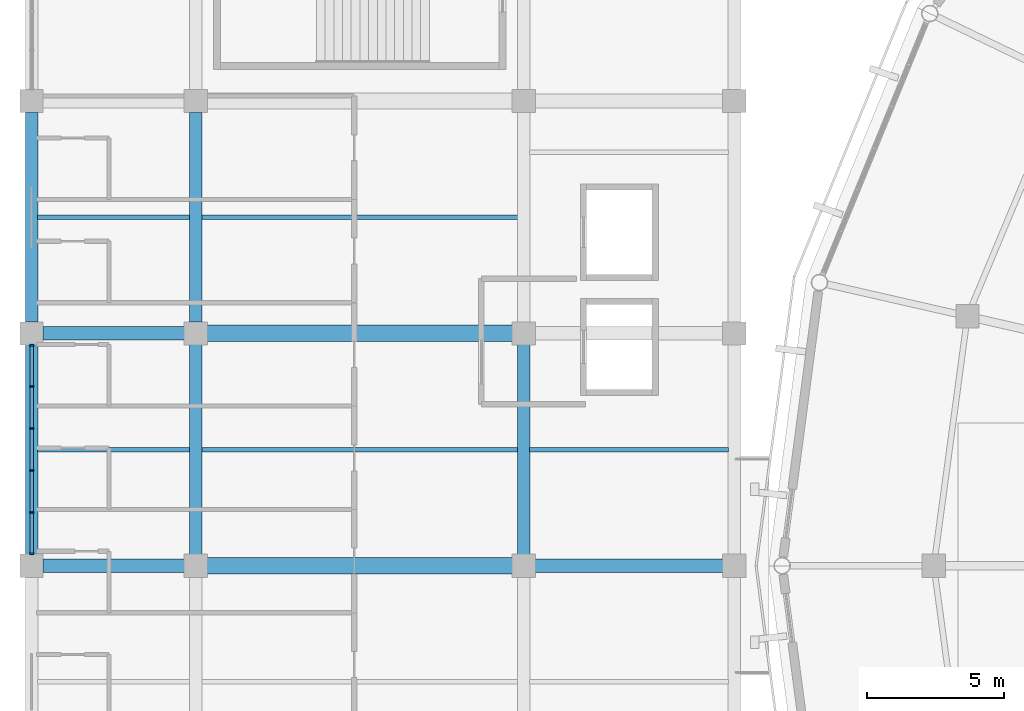
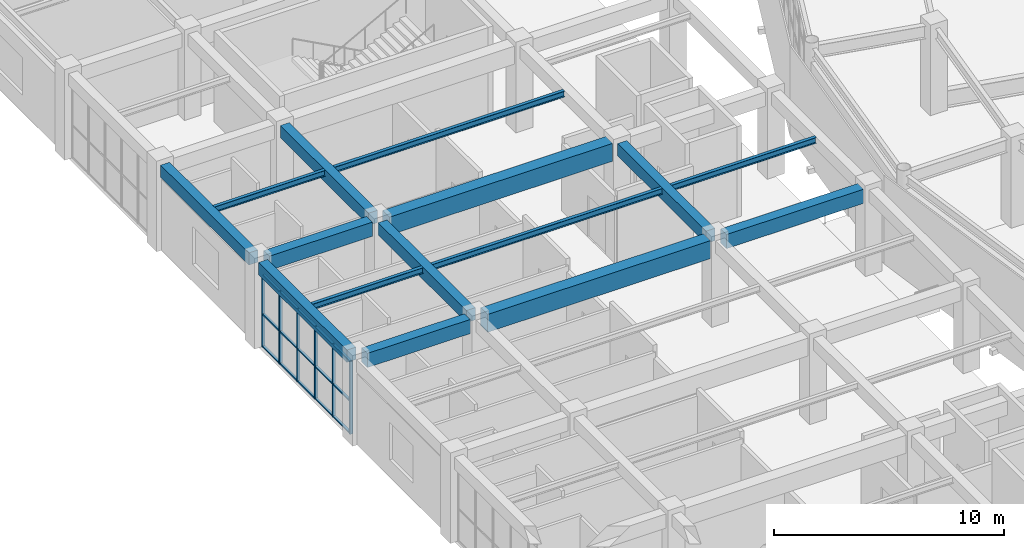
# One storey, part 41 of 122: 21 members, 15 beams, 1 element without a shape of its own.
"""IFC4 building model written with IfcOpenShell, lengths in metres."""

from ifc_helpers import new_model, si_unit, direction, frame, origin, origin_2d, place, context, subcontext, project, spatial, rectangle, i_section, extrude, material, material_profile, profile_set, type_object, element, aggregate, save


model = new_model("IFC4")

# Units and contexts
model_context = context("Model", 3, precision=1e-05, world=origin(), true_north=direction((0.0, 1.0)))
body_context = subcontext(model_context, "Body", "Model", "MODEL_VIEW")
ifc_project = project(units=[si_unit("LENGTHUNIT", "METRE"), si_unit("AREAUNIT", "SQUARE_METRE"), si_unit("VOLUMEUNIT", "CUBIC_METRE"), si_unit("PLANEANGLEUNIT", "RADIAN"), si_unit("MASSUNIT", "GRAM", prefix="KILO")], contexts=[model_context])

# Site, building, storey
site_placement = place(None, origin())
site = spatial("IfcSite", under=ifc_project, at=site_placement, CompositionType="ELEMENT")
building_placement = place(site_placement, origin())
building = spatial("IfcBuilding", under=site, at=building_placement, Name="Cuetzalor Civic Arena", CompositionType="ELEMENT")
storey_placement = place(building_placement, frame((0.0, 0.0, 16.199951171875)))
storey = spatial("IfcBuildingStorey", under=building, at=storey_placement, Name="L03", CompositionType="ELEMENT", Elevation=16.199951171875)

# Beams
ifc_material_1 = material(Name="Concrete C40/50", Category="concrete")
ifc_material_profile_1 = material_profile(ifc_material_1, rectangle(XDim=0.5, YDim=0.75, at=origin_2d()), Name="RC 500x750")
ifc_profile_set_1 = profile_set([ifc_material_profile_1], Name="Concrete C40/50")
beam_type_1 = type_object("IfcBeamType", Name="ConcreteFrameBeam_500x750", PredefinedType="BEAM", material=ifc_profile_set_1)
beam_1_placement = place(storey_placement, frame((-81.5849609375, 0.0, 4.14501953125), z_axis=(1.0, 0.0, 0.0), x_axis=(0.0, 1.0, 0.0)))
element("IfcBeam", 1, at=beam_1_placement, inside=storey, type_object=beam_type_1, Name="Frame Girder V4W-L03-X0901", PredefinedType="BEAM", context=body_context, shape_type="SweptSolid", body=[
    extrude(rectangle(XDim=0.5, YDim=0.75, at=origin_2d()), origin(), (0.0, 0.0, 1.0), 5.169921875),
])
beam_2_placement = place(storey_placement, frame((-63.5849609375, 0.0, 4.14501953125), z_axis=(1.0, 0.0, 0.0), x_axis=(0.0, 1.0, 0.0)))
element("IfcBeam", 2, at=beam_2_placement, inside=storey, type_object=beam_type_1, Name="Frame Girder V4W-L03-X0903", PredefinedType="BEAM", context=body_context, shape_type="SweptSolid", body=[
    extrude(rectangle(XDim=0.5, YDim=0.75, at=origin_2d()), origin(), (0.0, 0.0, 1.0), 6.869873046875),
])
beam_3_placement = place(storey_placement, frame((-81.5849609375, 8.5, 4.14501953125), z_axis=(1.0, 0.0, 0.0), x_axis=(0.0, 1.0, 0.0)))
element("IfcBeam", 3, at=beam_3_placement, inside=storey, type_object=beam_type_1, Name="Frame Girder V4W-L03-X0904", PredefinedType="BEAM", context=body_context, shape_type="SweptSolid", body=[
    extrude(rectangle(XDim=0.5, YDim=0.75, at=origin_2d()), origin(), (0.0, 0.0, 1.0), 5.169921875),
])
ifc_material_2 = material(Name="Concrete C40/50", Category="concrete")
ifc_material_profile_2 = material_profile(ifc_material_2, rectangle(XDim=0.60009765625, YDim=0.949951171875, at=origin_2d()), Name="RC 600x950")
ifc_profile_set_2 = profile_set([ifc_material_profile_2], Name="Concrete C40/50")
beam_type_2 = type_object("IfcBeamType", Name="ConcreteFrameBeam_600x950", PredefinedType="BEAM", material=ifc_profile_set_2)
for number, where, z_axis, x_axis, name in (
    (4, (-75.5849609375, 0.0, 4.045166015625), (1.0, 0.0, 0.0), (0.0, 1.0, 0.0), "Frame Girder V4W-L03-X0902"),
    (5, (-75.5849609375, 8.5, 4.045166015625), (1.0, 0.0, 0.0), (0.0, 1.0, 0.0), "Frame Girder V4W-L03-X0905"),
):
    element("IfcBeam", number, at=place(storey_placement, frame(where, z_axis=z_axis, x_axis=x_axis)), inside=storey, type_object=beam_type_2, Name=name, PredefinedType="BEAM", context=body_context, shape_type="SweptSolid", body=[
        extrude(rectangle(XDim=0.60009765625, YDim=0.949951171875, at=origin_2d()), origin(), (0.0, 0.0, 1.0), 11.169921875),
    ])
ifc_material_3 = material(Name="Concrete C40/50", Category="concrete")
ifc_material_profile_3 = material_profile(ifc_material_3, rectangle(XDim=0.449951171875, YDim=0.64990234375, at=origin_2d()), Name="RC 450x650")
ifc_profile_set_3 = profile_set([ifc_material_profile_3], Name="Concrete C40/50")
beam_type_3 = type_object("IfcBeamType", Name="ConcreteTieBeam_450x650", PredefinedType="BEAM", material=ifc_profile_set_3)
for number, where, z_axis, x_axis, name in (
    (6, (-82.0, 0.4150390625, 4.195068359375), (0.0, 1.0, 0.0), (-1.0, 0.0, 0.0), "Frame Girder V4W-L03-Y0922"),
    (7, (-82.0, 8.9150390625, 4.195068359375), (0.0, 1.0, 0.0), (-1.0, 0.0, 0.0), "Frame Girder V4W-L03-Y0923"),
    (8, (-76.0, 0.4150390625, 4.195068359375), (0.0, 1.0, 0.0), (-1.0, 0.0, 0.0), "Frame Girder V4W-L03-Y0932"),
    (9, (-76.0, 8.9150390625, 4.195068359375), (0.0, 1.0, 0.0), (-1.0, 0.0, 0.0), "Frame Girder V4W-L03-Y0933"),
    (10, (-64.0, 0.4150390625, 4.195068359375), (0.0, 1.0, 0.0), (-1.0, 0.0, 0.0), "Frame Girder V4W-L03-Y0942"),
):
    element("IfcBeam", number, at=place(storey_placement, frame(where, z_axis=z_axis, x_axis=x_axis)), inside=storey, type_object=beam_type_3, Name=name, PredefinedType="BEAM", context=body_context, shape_type="SweptSolid", body=[
        extrude(rectangle(XDim=0.449951171875, YDim=0.64990234375, at=origin_2d()), origin(), (0.0, 0.0, 1.0), 7.669921875),
    ])

# Curtain wall, members
ifc_material_4 = material(Name="Anodised dark bronze aluminium and low-E solar glass", Category="aluminium")
curtain_wall_type = type_object("IfcCurtainWallType", Name="UnitisedCW_7700x3850", PredefinedType="USERDEFINED", material=ifc_material_4)
curtain_wall_placement = place(storey_placement, origin())
curtain_wall = element("IfcCurtainWall", 11, at=curtain_wall_placement, inside=storey, type_object=curtain_wall_type, Name="V4W Suite Viewing Curtain Wall L03-121", ObjectType="UNITISED CURTAIN WALL", PredefinedType="USERDEFINED")
ifc_material_5 = material(Name="Anodised dark bronze aluminium", Category="aluminium")
ifc_material_profile_4 = material_profile(ifc_material_5, rectangle(XDim=0.06494140625, YDim=0.14990234375, at=origin_2d()), Name="ALU MULLION 65x150")
ifc_profile_set_4 = profile_set([ifc_material_profile_4], Name="Anodised dark bronze aluminium")
member_type_1 = type_object("IfcMemberType", Name="CurtainWallMullion_60x150", PredefinedType="MULLION", material=ifc_profile_set_4)
member_1_placement = place(storey_placement, frame((-82.0, 0.439453125, 0.0), z_axis=(0.0, 0.0, 1.0), x_axis=(0.0, 1.0, 0.0)))
member_1 = element("IfcMember", 12, at=member_1_placement, type_object=member_type_1, Name="CW-42 mullion 1", PredefinedType="MULLION", context=body_context, shape_type="SweptSolid", body=[
    extrude(rectangle(XDim=0.06494140625, YDim=0.14990234375, at=origin_2d()), origin(), (0.0, 0.0, 1.0), 3.860107421875),
])
member_2_placement = place(storey_placement, frame((-82.0, 1.944091796875, 0.0), z_axis=(0.0, 0.0, 1.0), x_axis=(0.0, 1.0, 0.0)))
member_2 = element("IfcMember", 13, at=member_2_placement, type_object=member_type_1, Name="CW-42 mullion 2", PredefinedType="MULLION", context=body_context, shape_type="SweptSolid", body=[
    extrude(rectangle(XDim=0.06494140625, YDim=0.14990234375, at=origin_2d()), origin(), (0.0, 0.0, 1.0), 3.860107421875),
])
member_3_placement = place(storey_placement, frame((-82.0, 3.4814453125, 0.0), z_axis=(0.0, 0.0, 1.0), x_axis=(0.0, 1.0, 0.0)))
member_3 = element("IfcMember", 14, at=member_3_placement, type_object=member_type_1, Name="CW-42 mullion 3", PredefinedType="MULLION", context=body_context, shape_type="SweptSolid", body=[
    extrude(rectangle(XDim=0.06494140625, YDim=0.14990234375, at=origin_2d()), origin(), (0.0, 0.0, 1.0), 3.860107421875),
])
member_4_placement = place(storey_placement, frame((-82.0, 5.0185546875, 0.0), z_axis=(0.0, 0.0, 1.0), x_axis=(0.0, 1.0, 0.0)))
member_4 = element("IfcMember", 15, at=member_4_placement, type_object=member_type_1, Name="CW-42 mullion 4", PredefinedType="MULLION", context=body_context, shape_type="SweptSolid", body=[
    extrude(rectangle(XDim=0.06494140625, YDim=0.14990234375, at=origin_2d()), origin(), (0.0, 0.0, 1.0), 3.860107421875),
])
member_5_placement = place(storey_placement, frame((-82.0, 6.555908203125, 0.0), z_axis=(0.0, 0.0, 1.0), x_axis=(0.0, 1.0, 0.0)))
member_5 = element("IfcMember", 16, at=member_5_placement, type_object=member_type_1, Name="CW-42 mullion 5", PredefinedType="MULLION", context=body_context, shape_type="SweptSolid", body=[
    extrude(rectangle(XDim=0.06494140625, YDim=0.14990234375, at=origin_2d()), origin(), (0.0, 0.0, 1.0), 3.860107421875),
])
member_6_placement = place(storey_placement, frame((-82.0, 8.060546875, 0.0), z_axis=(0.0, 0.0, 1.0), x_axis=(0.0, 1.0, 0.0)))
member_6 = element("IfcMember", 17, at=member_6_placement, type_object=member_type_1, Name="CW-42 mullion 6", PredefinedType="MULLION", context=body_context, shape_type="SweptSolid", body=[
    extrude(rectangle(XDim=0.06494140625, YDim=0.14990234375, at=origin_2d()), origin(), (0.0, 0.0, 1.0), 3.860107421875),
])
ifc_material_6 = material(Name="Anodised dark bronze aluminium", Category="aluminium")
ifc_material_profile_5 = material_profile(ifc_material_6, rectangle(XDim=0.1201171875, YDim=0.06494140625, at=origin_2d()), Name="ALU TRANSOM 65x120")
ifc_profile_set_5 = profile_set([ifc_material_profile_5], Name="Anodised dark bronze aluminium")
member_type_2 = type_object("IfcMemberType", Name="CurtainWallTransom_60x120", PredefinedType="USERDEFINED", material=ifc_profile_set_5)
member_7_placement = place(storey_placement, frame((-82.0, 0.471923828125, 0.032470703125), z_axis=(0.0, 1.0, 0.0), x_axis=(-1.0, 0.0, 0.0)))
member_7 = element("IfcMember", 18, at=member_7_placement, type_object=member_type_2, Name="CW-42 transom 1.1", ObjectType="TRANSOM", PredefinedType="USERDEFINED", context=body_context, shape_type="SweptSolid", body=[
    extrude(rectangle(XDim=0.1201171875, YDim=0.06494140625, at=origin_2d()), origin(), (0.0, 0.0, 1.0), 1.439697265625),
])
member_8_placement = place(storey_placement, frame((-82.0, 0.471923828125, 1.737060546875), z_axis=(0.0, 1.0, 0.0), x_axis=(-1.0, 0.0, 0.0)))
member_8 = element("IfcMember", 19, at=member_8_placement, type_object=member_type_2, Name="CW-42 transom 1.2", ObjectType="TRANSOM", PredefinedType="USERDEFINED", context=body_context, shape_type="SweptSolid", body=[
    extrude(rectangle(XDim=0.1201171875, YDim=0.06494140625, at=origin_2d()), origin(), (0.0, 0.0, 1.0), 1.439697265625),
])
member_9_placement = place(storey_placement, frame((-82.0, 0.471923828125, 3.82763671875), z_axis=(0.0, 1.0, 0.0), x_axis=(-1.0, 0.0, 0.0)))
member_9 = element("IfcMember", 20, at=member_9_placement, type_object=member_type_2, Name="CW-42 transom 1.3", ObjectType="TRANSOM", PredefinedType="USERDEFINED", context=body_context, shape_type="SweptSolid", body=[
    extrude(rectangle(XDim=0.1201171875, YDim=0.06494140625, at=origin_2d()), origin(), (0.0, 0.0, 1.0), 1.439697265625),
])
member_10_placement = place(storey_placement, frame((-82.0, 1.976806640625, 0.032470703125), z_axis=(0.0, 1.0, 0.0), x_axis=(-1.0, 0.0, 0.0)))
member_10 = element("IfcMember", 21, at=member_10_placement, type_object=member_type_2, Name="CW-42 transom 2.1", ObjectType="TRANSOM", PredefinedType="USERDEFINED", context=body_context, shape_type="SweptSolid", body=[
    extrude(rectangle(XDim=0.1201171875, YDim=0.06494140625, at=origin_2d()), origin(), (0.0, 0.0, 1.0), 1.47216796875),
])
member_11_placement = place(storey_placement, frame((-82.0, 1.976806640625, 1.737060546875), z_axis=(0.0, 1.0, 0.0), x_axis=(-1.0, 0.0, 0.0)))
member_11 = element("IfcMember", 22, at=member_11_placement, type_object=member_type_2, Name="CW-42 transom 2.2", ObjectType="TRANSOM", PredefinedType="USERDEFINED", context=body_context, shape_type="SweptSolid", body=[
    extrude(rectangle(XDim=0.1201171875, YDim=0.06494140625, at=origin_2d()), origin(), (0.0, 0.0, 1.0), 1.47216796875),
])
member_12_placement = place(storey_placement, frame((-82.0, 1.976806640625, 3.82763671875), z_axis=(0.0, 1.0, 0.0), x_axis=(-1.0, 0.0, 0.0)))
member_12 = element("IfcMember", 23, at=member_12_placement, type_object=member_type_2, Name="CW-42 transom 2.3", ObjectType="TRANSOM", PredefinedType="USERDEFINED", context=body_context, shape_type="SweptSolid", body=[
    extrude(rectangle(XDim=0.1201171875, YDim=0.06494140625, at=origin_2d()), origin(), (0.0, 0.0, 1.0), 1.47216796875),
])
member_13_placement = place(storey_placement, frame((-82.0, 3.513916015625, 0.032470703125), z_axis=(0.0, 1.0, 0.0), x_axis=(-1.0, 0.0, 0.0)))
member_13 = element("IfcMember", 24, at=member_13_placement, type_object=member_type_2, Name="CW-42 transom 3.1", ObjectType="TRANSOM", PredefinedType="USERDEFINED", context=body_context, shape_type="SweptSolid", body=[
    extrude(rectangle(XDim=0.1201171875, YDim=0.06494140625, at=origin_2d()), origin(), (0.0, 0.0, 1.0), 1.47216796875),
])
member_14_placement = place(storey_placement, frame((-82.0, 3.513916015625, 1.737060546875), z_axis=(0.0, 1.0, 0.0), x_axis=(-1.0, 0.0, 0.0)))
member_14 = element("IfcMember", 25, at=member_14_placement, type_object=member_type_2, Name="CW-42 transom 3.2", ObjectType="TRANSOM", PredefinedType="USERDEFINED", context=body_context, shape_type="SweptSolid", body=[
    extrude(rectangle(XDim=0.1201171875, YDim=0.06494140625, at=origin_2d()), origin(), (0.0, 0.0, 1.0), 1.47216796875),
])
member_15_placement = place(storey_placement, frame((-82.0, 3.513916015625, 3.82763671875), z_axis=(0.0, 1.0, 0.0), x_axis=(-1.0, 0.0, 0.0)))
member_15 = element("IfcMember", 26, at=member_15_placement, type_object=member_type_2, Name="CW-42 transom 3.3", ObjectType="TRANSOM", PredefinedType="USERDEFINED", context=body_context, shape_type="SweptSolid", body=[
    extrude(rectangle(XDim=0.1201171875, YDim=0.06494140625, at=origin_2d()), origin(), (0.0, 0.0, 1.0), 1.47216796875),
])
member_16_placement = place(storey_placement, frame((-82.0, 5.051025390625, 0.032470703125), z_axis=(0.0, 1.0, 0.0), x_axis=(-1.0, 0.0, 0.0)))
member_16 = element("IfcMember", 27, at=member_16_placement, type_object=member_type_2, Name="CW-42 transom 4.1", ObjectType="TRANSOM", PredefinedType="USERDEFINED", context=body_context, shape_type="SweptSolid", body=[
    extrude(rectangle(XDim=0.1201171875, YDim=0.06494140625, at=origin_2d()), origin(), (0.0, 0.0, 1.0), 1.47216796875),
])
member_17_placement = place(storey_placement, frame((-82.0, 5.051025390625, 1.737060546875), z_axis=(0.0, 1.0, 0.0), x_axis=(-1.0, 0.0, 0.0)))
member_17 = element("IfcMember", 28, at=member_17_placement, type_object=member_type_2, Name="CW-42 transom 4.2", ObjectType="TRANSOM", PredefinedType="USERDEFINED", context=body_context, shape_type="SweptSolid", body=[
    extrude(rectangle(XDim=0.1201171875, YDim=0.06494140625, at=origin_2d()), origin(), (0.0, 0.0, 1.0), 1.47216796875),
])
member_18_placement = place(storey_placement, frame((-82.0, 5.051025390625, 3.82763671875), z_axis=(0.0, 1.0, 0.0), x_axis=(-1.0, 0.0, 0.0)))
member_18 = element("IfcMember", 29, at=member_18_placement, type_object=member_type_2, Name="CW-42 transom 4.3", ObjectType="TRANSOM", PredefinedType="USERDEFINED", context=body_context, shape_type="SweptSolid", body=[
    extrude(rectangle(XDim=0.1201171875, YDim=0.06494140625, at=origin_2d()), origin(), (0.0, 0.0, 1.0), 1.47216796875),
])
member_19_placement = place(storey_placement, frame((-82.0, 6.58837890625, 0.032470703125), z_axis=(0.0, 1.0, 0.0), x_axis=(-1.0, 0.0, 0.0)))
member_19 = element("IfcMember", 30, at=member_19_placement, type_object=member_type_2, Name="CW-42 transom 5.1", ObjectType="TRANSOM", PredefinedType="USERDEFINED", context=body_context, shape_type="SweptSolid", body=[
    extrude(rectangle(XDim=0.1201171875, YDim=0.06494140625, at=origin_2d()), origin(), (0.0, 0.0, 1.0), 1.439697265625),
])
member_20_placement = place(storey_placement, frame((-82.0, 6.58837890625, 1.737060546875), z_axis=(0.0, 1.0, 0.0), x_axis=(-1.0, 0.0, 0.0)))
member_20 = element("IfcMember", 31, at=member_20_placement, type_object=member_type_2, Name="CW-42 transom 5.2", ObjectType="TRANSOM", PredefinedType="USERDEFINED", context=body_context, shape_type="SweptSolid", body=[
    extrude(rectangle(XDim=0.1201171875, YDim=0.06494140625, at=origin_2d()), origin(), (0.0, 0.0, 1.0), 1.439697265625),
])
member_21_placement = place(storey_placement, frame((-82.0, 6.58837890625, 3.82763671875), z_axis=(0.0, 1.0, 0.0), x_axis=(-1.0, 0.0, 0.0)))
member_21 = element("IfcMember", 32, at=member_21_placement, type_object=member_type_2, Name="CW-42 transom 5.3", ObjectType="TRANSOM", PredefinedType="USERDEFINED", context=body_context, shape_type="SweptSolid", body=[
    extrude(rectangle(XDim=0.1201171875, YDim=0.06494140625, at=origin_2d()), origin(), (0.0, 0.0, 1.0), 1.439697265625),
])
aggregate(curtain_wall, [member_1, member_2, member_3, member_4, member_5, member_6, member_7, member_8, member_9, member_10, member_11, member_12, member_13, member_14, member_15, member_16, member_17, member_18, member_19, member_20, member_21])

# Beams
ifc_material_7 = material(Name="Steel S355", Category="steel")
ifc_material_profile_6 = material_profile(ifc_material_7, i_section(OverallWidth=0.166015625, OverallDepth=0.31298828125, WebThickness=0.006591796875, FlangeThickness=0.01123046875, at=origin_2d()), Name="W310x45")
ifc_profile_set_6 = profile_set([ifc_material_profile_6], Name="Steel S355")
beam_type_4 = type_object("IfcBeamType", Name="SecondaryRoofJoist_W310", PredefinedType="JOIST", material=ifc_profile_set_6)
for number, where, z_axis, x_axis, name in (
    (33, (-81.782958984375, 4.25, 4.363525390625), (1.0, 0.0, 0.0), (0.0, 1.0, 0.0), "Secondary Floor Joist V4W-L03-0273"),
    (34, (-81.782958984375, 12.75, 4.363525390625), (1.0, 0.0, 0.0), (0.0, 1.0, 0.0), "Secondary Floor Joist V4W-L03-0274"),
):
    element("IfcBeam", number, at=place(storey_placement, frame(where, z_axis=z_axis, x_axis=x_axis)), inside=storey, type_object=beam_type_4, Name=name, PredefinedType="JOIST", context=body_context, shape_type="SweptSolid", body=[
        extrude(i_section(OverallWidth=0.166015625, OverallDepth=0.31298828125, WebThickness=0.006591796875, FlangeThickness=0.01123046875, at=origin_2d()), origin(), (0.0, 0.0, 1.0), 5.56591796875),
    ])
for number, where, z_axis, x_axis, name in (
    (35, (-75.782958984375, 4.25, 4.363525390625), (1.0, 0.0, 0.0), (0.0, 1.0, 0.0), "Secondary Floor Joist V4W-L03-0281"),
    (36, (-75.782958984375, 12.75, 4.363525390625), (1.0, 0.0, 0.0), (0.0, 1.0, 0.0), "Secondary Floor Joist V4W-L03-0282"),
):
    element("IfcBeam", number, at=place(storey_placement, frame(where, z_axis=z_axis, x_axis=x_axis)), inside=storey, type_object=beam_type_4, Name=name, PredefinedType="JOIST", context=body_context, shape_type="SweptSolid", body=[
        extrude(i_section(OverallWidth=0.166015625, OverallDepth=0.31298828125, WebThickness=0.006591796875, FlangeThickness=0.01123046875, at=origin_2d()), origin(), (0.0, 0.0, 1.0), 11.56591796875),
    ])
beam_4_placement = place(storey_placement, frame((-63.782958984375, 4.25, 4.363525390625), z_axis=(1.0, 0.0, 0.0), x_axis=(0.0, 1.0, 0.0)))
element("IfcBeam", 37, at=beam_4_placement, inside=storey, type_object=beam_type_4, Name="Secondary Floor Joist V4W-L03-0289", PredefinedType="JOIST", context=body_context, shape_type="SweptSolid", body=[
    extrude(i_section(OverallWidth=0.166015625, OverallDepth=0.31298828125, WebThickness=0.006591796875, FlangeThickness=0.01123046875, at=origin_2d()), origin(), (0.0, 0.0, 1.0), 7.265869140625),
])

save(model, "model.ifc")
